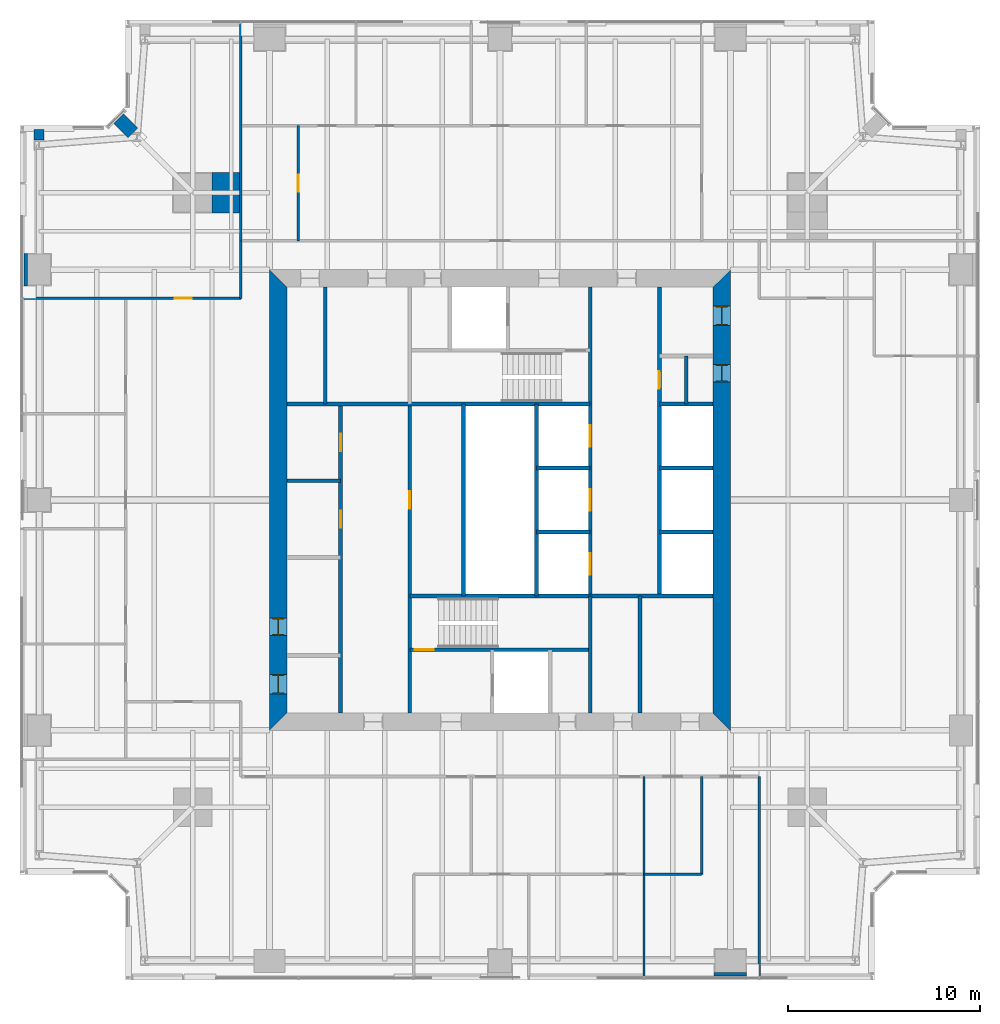
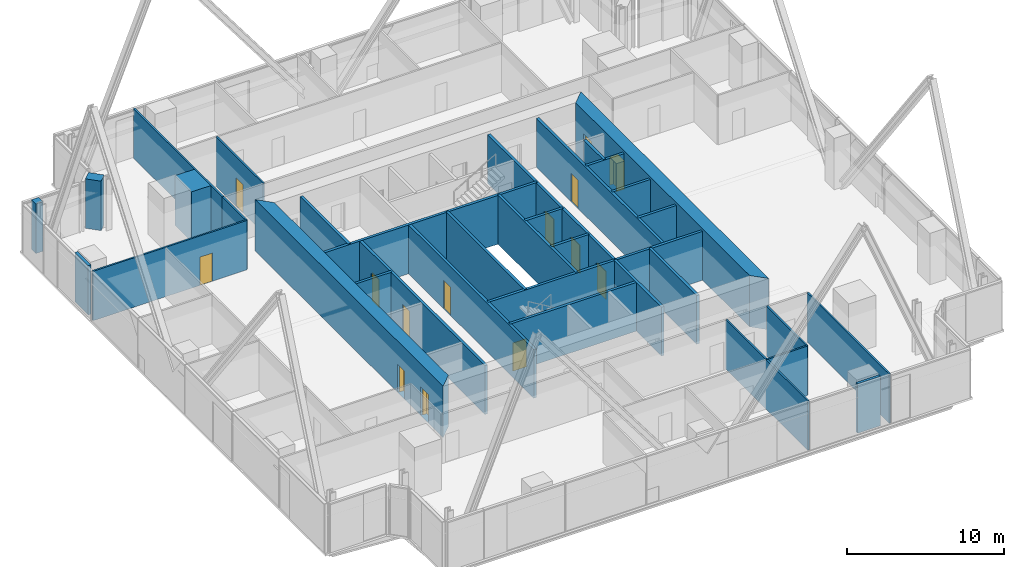
# One storey, part 10 of 14: 34 walls, 14 doors, 14 openings.
"""IFC4 building model written with IfcOpenShell, lengths in metres."""

import ifcopenshell
import ifcopenshell.guid

model = None  # the IFC model being written
_history = None  # IfcOwnerHistory: only IFC2X3 demands one
_inside = {}  # id of a spatial element -> (the spatial element, [elements in it])
_under = {}  # id of a project, library or spatial element -> (it, [spatial elements below it])
_declared = {}  # id of a project -> (the project, [libraries it declares])
_typed = {}  # id of a type object -> (the type object, [elements of that type])
_made_of = {}  # id of a material, layer set ... -> (it, [elements and type objects made of it])


def new_model(schema):
    """Start an empty IFC model of exactly this schema.

    Asked for "IFC4X3", IfcOpenShell would pick the latest addendum, in which some entities
    have other attributes; the version numbers below select the first issue.
    IFC2X3 requires an IfcOwnerHistory on every rooted entity: one is made here for all.
    """
    global model, _history
    if schema == "IFC4X3":
        model = ifcopenshell.file(schema_version=(4, 3, 0, 0))
    else:
        model = ifcopenshell.file(schema=schema)
    _inside.clear()
    _under.clear()
    _declared.clear()
    _typed.clear()
    _made_of.clear()
    _history = None
    if model.schema == "IFC2X3":
        org = make("IfcOrganization", Name="unknown")
        user = make(
            "IfcPersonAndOrganization",
            ThePerson=make("IfcPerson", FamilyName="unknown"),
            TheOrganization=org,
        )
        app = make(
            "IfcApplication",
            ApplicationDeveloper=org,
            Version="unknown",
            ApplicationFullName="unknown",
            ApplicationIdentifier="unknown",
        )
        _history = make(
            "IfcOwnerHistory",
            OwningUser=user,
            OwningApplication=app,
            ChangeAction="ADDED",
            CreationDate=0,
        )
    return model


def make(cls, **values):
    """One entity of the class cls with the attributes given. An attribute that is None is left unset."""
    return model.create_entity(
        cls, **{name: value for name, value in values.items() if value is not None}
    )


def rooted(cls, **values):
    """An entity with a GlobalId (a new one), such as an element, a storey or a relation."""
    return make(cls, GlobalId=ifcopenshell.guid.new(), OwnerHistory=_history, **values)


def si_unit(unit_type, name, prefix=None):
    """IfcSIUnit, for example si_unit("LENGTHUNIT", "METRE", prefix="MILLI")."""
    return make("IfcSIUnit", UnitType=unit_type, Prefix=prefix, Name=name)


def assignment(units):
    """IfcUnitAssignment: the units of a project."""
    return None if units is None else make("IfcUnitAssignment", Units=units)


def point(xyz):
    """IfcCartesianPoint."""
    return None if xyz is None else make("IfcCartesianPoint", Coordinates=xyz)


def direction(xyz):
    """IfcDirection."""
    return None if xyz is None else make("IfcDirection", DirectionRatios=xyz)


def frame(location, z_axis=None, x_axis=None):
    """IfcAxis2Placement3D, a coordinate frame: its origin and axes. An axis left out is left unset."""
    return make(
        "IfcAxis2Placement3D",
        Location=point(location),
        Axis=direction(z_axis),
        RefDirection=direction(x_axis),
    )


def frame_2d(location, x_axis=None):
    """IfcAxis2Placement2D, a coordinate frame in the plane: its origin and x axis."""
    return make(
        "IfcAxis2Placement2D", Location=point(location), RefDirection=direction(x_axis)
    )


def origin():
    """The frame at (0, 0, 0) with its axes left unset."""
    return frame((0.0, 0.0, 0.0))


def place(relative_to, where):
    """IfcLocalPlacement: puts the frame where relative to a parent placement (None: the world)."""
    return make(
        "IfcLocalPlacement", PlacementRelTo=relative_to, RelativePlacement=where
    )


def context(
    kind, dimensions, precision=None, world=None, true_north=None, identifier=None
):
    """IfcGeometricRepresentationContext, for example the 3D "Model" context."""
    return make(
        "IfcGeometricRepresentationContext",
        ContextIdentifier=identifier,
        ContextType=kind,
        CoordinateSpaceDimension=dimensions,
        Precision=precision,
        WorldCoordinateSystem=world,
        TrueNorth=true_north,
    )


def subcontext(parent, identifier, kind, view, scale=None):
    """IfcGeometricRepresentationSubContext, for example "Body" below "Model"."""
    return make(
        "IfcGeometricRepresentationSubContext",
        ContextIdentifier=identifier,
        ContextType=kind,
        ParentContext=parent,
        TargetScale=scale,
        TargetView=view,
    )


def project(units=None, contexts=None):
    """IfcProject with its units and contexts."""
    return rooted(
        "IfcProject",
        Name="project",
        RepresentationContexts=contexts,
        UnitsInContext=assignment(units),
    )


def spatial(cls, under=None, at=None, **own):
    """A site, building, storey or space (cls), placed at a placement, below another one or the project."""
    s = rooted(cls, ObjectPlacement=at, **own)
    if under is not None:
        _under.setdefault(under.id(), (under, []))[1].append(s)
    return s


def polyline(points):
    """IfcPolyline through the points."""
    return make("IfcPolyline", Points=[point(p) for p in points])


def profile(cls, at=None, kind="AREA", **sizes):
    """A parametric profile (cls). Its sizes go by their IFC names, for example OverallWidth=200.0."""
    return make(cls, ProfileType=kind, Position=at, **sizes)


def rectangle(**sizes):
    """IfcRectangleProfileDef."""
    return profile("IfcRectangleProfileDef", **sizes)


def outline(outer, holes=None, kind="AREA"):
    """IfcArbitraryClosedProfileDef: a profile drawn as a closed curve; with holes, ...WithVoids."""
    if holes is None:
        return make("IfcArbitraryClosedProfileDef", ProfileType=kind, OuterCurve=outer)
    return make(
        "IfcArbitraryProfileDefWithVoids",
        ProfileType=kind,
        OuterCurve=outer,
        InnerCurves=holes,
    )


def extrude(swept, where, along, depth):
    """IfcExtrudedAreaSolid: the profile swept, set in the frame where, extruded along a direction by depth."""
    return make(
        "IfcExtrudedAreaSolid",
        SweptArea=swept,
        Position=where,
        ExtrudedDirection=direction(along),
        Depth=depth,
    )


def shape(context_of_items, identifier, shape_type, items):
    """IfcShapeRepresentation: the items that make up one representation, for example the "Body"."""
    return make(
        "IfcShapeRepresentation",
        ContextOfItems=context_of_items,
        RepresentationIdentifier=identifier,
        RepresentationType=shape_type,
        Items=items,
    )


def material(Name=None, Category=None):
    """IfcMaterial."""
    return make("IfcMaterial", Name=Name, Category=Category)


def layer(
    of_material, thickness, ventilated=None, Name=None, Category=None, Priority=None
):
    """IfcMaterialLayer: one layer of a wall or slab, of a material (None: an air gap)."""
    return make(
        "IfcMaterialLayer",
        Material=of_material,
        LayerThickness=thickness,
        IsVentilated=ventilated,
        Name=Name,
        Category=Category,
        Priority=Priority,
    )


def layer_set(layers, Name=None):
    """IfcMaterialLayerSet."""
    return make("IfcMaterialLayerSet", MaterialLayers=layers, LayerSetName=Name)


def made_of(thing, what):
    """Note that an element or type object is made of a material, layer set ...; save() writes the relation."""
    if what is not None:
        _made_of.setdefault(what.id(), (what, []))[1].append(thing)
    return thing


def type_object(cls, material=None, **own):
    """A type object (cls), such as IfcWallType, which elements share."""
    return made_of(rooted(cls, **own), material)


def element(
    cls,
    number,
    at=None,
    inside=None,
    cuts=None,
    type_object=None,
    material=None,
    context=None,
    identifier="Body",
    shape_type=None,
    held_by="IfcProductDefinitionShape",
    body=None,
    shapes=None,
    **own,
):
    """One element of the class cls, such as IfcWall. Its Tag is "e" and its number.

    at: its placement. inside: the storey or other place that contains it. cuts: it is an
    opening in that element (IfcRelVoidsElement). A single representation is given by context,
    identifier, shape_type and body (its items); several are given by shapes. held_by: the class
    of the entity that holds the representations. save() writes the other relations.
    """
    e = rooted(cls, Tag="e%d" % number, ObjectPlacement=at, **own)
    if body is not None:
        shapes = [shape(context, identifier, shape_type, body)]
    if shapes is not None:
        e.Representation = make(held_by, Representations=shapes)
    if inside is not None:
        _inside.setdefault(inside.id(), (inside, []))[1].append(e)
    if cuts is not None:
        rooted(
            "IfcRelVoidsElement", RelatingBuildingElement=cuts, RelatedOpeningElement=e
        )
    if type_object is not None:
        _typed.setdefault(type_object.id(), (type_object, []))[1].append(e)
    return made_of(e, material)


def fill(opening, filler):
    """IfcRelFillsElement: the door or window that sits in an opening."""
    return rooted(
        "IfcRelFillsElement",
        RelatingOpeningElement=opening,
        RelatedBuildingElement=filler,
    )


def aggregate(whole, parts):
    """IfcRelAggregates: a whole, such as a stair, and the parts it consists of."""
    return rooted("IfcRelAggregates", RelatingObject=whole, RelatedObjects=parts)


def save(model, path):
    """Write the relations noted so far, then the file.

    IfcRelAggregates (storeys below a building ...), IfcRelContainedInSpatialStructure (elements
    in a storey), IfcRelDefinesByType, IfcRelAssociatesMaterial and IfcRelDeclares: one each for
    every whole, place, type object, material and project.
    """
    for whole, parts in _under.values():
        aggregate(whole, parts)
    for where, things in _inside.values():
        rooted(
            "IfcRelContainedInSpatialStructure",
            RelatedElements=things,
            RelatingStructure=where,
        )
    for kind, things in _typed.values():
        rooted("IfcRelDefinesByType", RelatedObjects=things, RelatingType=kind)
    for what, things in _made_of.values():
        rooted("IfcRelAssociatesMaterial", RelatedObjects=things, RelatingMaterial=what)
    for by, libraries in _declared.values():
        rooted("IfcRelDeclares", RelatingContext=by, RelatedDefinitions=libraries)
    model.write(path)


model = new_model("IFC4")

# Units and contexts
model_context = context("Model", 3, precision=1e-05, world=origin(), true_north=direction((0.0, 1.0)))
body_context = subcontext(model_context, "Body", "Model", "MODEL_VIEW")
ifc_project = project(units=[si_unit("LENGTHUNIT", "METRE"), si_unit("AREAUNIT", "SQUARE_METRE"), si_unit("VOLUMEUNIT", "CUBIC_METRE"), si_unit("PLANEANGLEUNIT", "RADIAN"), si_unit("MASSUNIT", "GRAM", prefix="KILO")], contexts=[model_context])

# Site, building, storey
site_placement = place(None, origin())
site = spatial("IfcSite", under=ifc_project, at=site_placement, CompositionType="ELEMENT")
building_placement = place(site_placement, origin())
building = spatial("IfcBuilding", under=site, at=building_placement, Name="Fenwick Lantern Interchange", CompositionType="ELEMENT")
storey_placement = place(building_placement, frame((0.0, 0.0, 185.800048828125)))
storey = spatial("IfcBuildingStorey", under=building, at=storey_placement, Name="L43", CompositionType="ELEMENT", Elevation=185.800048828125)

# Walls
ifc_material_1 = material(Name="Fire-rated gypsum board encasement on steel studs, 2 hour", Category="steel")
ifc_layer_1 = layer(ifc_material_1, 1.699951171875)
ifc_layer_set_1 = layer_set([ifc_layer_1], Name="COLUMN PIER 1700")
wall_type_1 = type_object("IfcWallType", Name="COLUMN PIER 1700", PredefinedType="PARTITIONING", material=ifc_layer_set_1)
for number, where, z_axis, x_axis, name in (
    (1, (37.0, 0.199951171875, 0.0), (0.0, 0.0, 1.0), (0.0, 1.0, 0.0), "L43/W/PIER/CS4"),
    (2, (0.199951171875, 37.0, 0.0), (0.0, 0.0, 1.0), (1.0, 0.0, 0.0), "L43/W/PIER/CW2"),
):
    element("IfcWall", number, at=place(storey_placement, frame(where, z_axis=z_axis, x_axis=x_axis)), inside=storey, type_object=wall_type_1, Name=name, PredefinedType="PARTITIONING", context=body_context, shape_type="SweptSolid", body=[
        extrude(rectangle(XDim=0.199951171875, YDim=1.699951171875, at=frame_2d((0.10009765625, 0.0))), origin(), (0.0, 0.0, 1.0), 3.849853515625),
    ])
ifc_layer_2 = layer(ifc_material_1, 2.10009765625)
ifc_layer_set_2 = layer_set([ifc_layer_2], Name="COLUMN PIER 2100")
wall_type_2 = type_object("IfcWallType", Name="COLUMN PIER 2100", PredefinedType="PARTITIONING", material=ifc_layer_set_2)
wall_1_placement = place(storey_placement, frame((11.4375, 41.0, 0.0), z_axis=(0.0, 0.0, 1.0), x_axis=(-1.0, 0.0, 0.0)))
element("IfcWall", 3, at=wall_1_placement, inside=storey, type_object=wall_type_2, Name="L43/W/PIER/M4", PredefinedType="PARTITIONING", context=body_context, shape_type="SweptSolid", body=[
    extrude(rectangle(XDim=1.4375, YDim=2.10009765625, at=frame_2d((0.71875, 0.0))), origin(), (0.0, 0.0, 1.0), 3.849853515625),
])
ifc_layer_3 = layer(ifc_material_1, 0.52392578125)
ifc_layer_set_3 = layer_set([ifc_layer_3], Name="COLUMN PIER 524")
wall_type_3 = type_object("IfcWallType", Name="COLUMN PIER 524", PredefinedType="PARTITIONING", material=ifc_layer_set_3)
wall_2_placement = place(storey_placement, frame((1.0, 44.300048828125, 0.0), z_axis=(0.0, 0.0, 1.0), x_axis=(0.0, -1.0, 0.0)))
element("IfcWall", 4, at=wall_2_placement, inside=storey, type_object=wall_type_3, Name="L43/W/PIER/CW1", PredefinedType="PARTITIONING", context=body_context, shape_type="SweptSolid", body=[
    extrude(rectangle(XDim=0.5625, YDim=0.52392578125, at=frame_2d((0.28125, 0.0))), origin(), (0.0, 0.0, 1.0), 3.849853515625),
])
ifc_layer_4 = layer(ifc_material_1, 0.736083984375)
ifc_layer_set_4 = layer_set([ifc_layer_4], Name="COLUMN PIER 736")
wall_type_4 = type_object("IfcWallType", Name="COLUMN PIER 736", PredefinedType="PARTITIONING", material=ifc_layer_set_4)
wall_3_placement = place(storey_placement, frame((5.141357421875, 44.858642578125, 0.0), z_axis=(0.0, 0.0, 1.0), x_axis=(0.707106781187, -0.707106781187, 0.0)))
element("IfcWall", 5, at=wall_3_placement, inside=storey, type_object=wall_type_4, Name="L43/W/PIER/CNR", PredefinedType="PARTITIONING", context=body_context, shape_type="SweptSolid", body=[
    extrude(rectangle(XDim=1.037841796875, YDim=0.736083984375, at=frame_2d((0.51904296875, 0.0))), origin(), (0.0, 0.0, 1.0), 3.849853515625),
])

# Wall, openings, doors
ifc_material_2 = material(Name="Concrete masonry ASTM C90 Grade N", Category="masonry")
ifc_layer_5 = layer(ifc_material_2, 0.199951171875)
ifc_layer_set_5 = layer_set([ifc_layer_5], Name="Concrete masonry ASTM C90 Grade N")
wall_type_5 = type_object("IfcWallType", Name="CORE PARTITION 200", PredefinedType="PARTITIONING", material=ifc_layer_set_5)
wall_4_placement = place(storey_placement, frame((16.699951171875, 13.89990234375, 0.0), z_axis=(0.0, 0.0, 1.0), x_axis=(0.0, 1.0, 0.0)))
wall_4 = element("IfcWall", 6, at=wall_4_placement, inside=storey, type_object=wall_type_5, Name="L43/W/CORES/a", PredefinedType="PARTITIONING", context=body_context, shape_type="SweptSolid", body=[
    extrude(rectangle(XDim=16.10009765625, YDim=0.199951171875, at=frame_2d((8.050048828125, 0.0))), origin(), (0.0, 0.0, 1.0), 3.800048828125),
])
opening_1_placement = place(wall_4_placement, frame((9.64990234375, 0.0, 0.0)))
opening_1 = element("IfcOpeningElement", 7, at=opening_1_placement, cuts=wall_4, Name="Opening L43-D009", PredefinedType="OPENING", context=body_context, shape_type="SweptSolid", body=[
    extrude(rectangle(XDim=0.89990234375, YDim=2.199951171875, at=frame_2d((0.449951171875, 1.10009765625))), frame((0.0, 0.10986328125, 0.0), z_axis=(0.0, -1.0, 0.0), x_axis=(1.0, 0.0, 0.0)), (0.0, 0.0, 1.0), 0.219970703125),
])
opening_2_placement = place(wall_4_placement, frame((13.64990234375, 0.0, 0.0)))
opening_2 = element("IfcOpeningElement", 8, at=opening_2_placement, cuts=wall_4, Name="Opening L43-D010", PredefinedType="OPENING", context=body_context, shape_type="SweptSolid", body=[
    extrude(rectangle(XDim=0.89990234375, YDim=2.199951171875, at=frame_2d((0.449951171875, 1.10009765625))), frame((0.0, 0.10986328125, 0.0), z_axis=(0.0, -1.0, 0.0), x_axis=(1.0, 0.0, 0.0)), (0.0, 0.0, 1.0), 0.219970703125),
])
ifc_material_3 = material(Name="Steel door and frame", Category="steel")
door_type_1 = type_object("IfcDoorType", Name="SERVICE DOOR 900 X 2200", OperationType="SINGLE_SWING_LEFT", PredefinedType="DOOR", material=ifc_material_3)
door_1_placement = place(opening_1_placement, origin())
door_1 = element("IfcDoor", 9, at=door_1_placement, inside=storey, type_object=door_type_1, Name="Service door", OperationType="SINGLE_SWING_LEFT", OverallHeight=2.199951171875, OverallWidth=0.89990234375, PredefinedType="DOOR", context=body_context, shape_type="SweptSolid", body=[
    extrude(rectangle(XDim=0.89990234375, YDim=2.199951171875, at=frame_2d((0.449951171875, 1.10009765625))), frame((0.0, 0.02490234375, 0.0), z_axis=(0.0, -1.0, 0.0), x_axis=(1.0, 0.0, 0.0)), (0.0, 0.0, 1.0), 0.050048828125),
])
fill(opening_1, door_1)
door_2_placement = place(opening_2_placement, origin())
door_2 = element("IfcDoor", 10, at=door_2_placement, inside=storey, type_object=door_type_1, Name="Service door", OperationType="SINGLE_SWING_LEFT", OverallHeight=2.199951171875, OverallWidth=0.89990234375, PredefinedType="DOOR", context=body_context, shape_type="SweptSolid", body=[
    extrude(rectangle(XDim=0.89990234375, YDim=2.199951171875, at=frame_2d((0.449951171875, 1.10009765625))), frame((0.0, 0.02490234375, 0.0), z_axis=(0.0, -1.0, 0.0), x_axis=(1.0, 0.0, 0.0)), (0.0, 0.0, 1.0), 0.050048828125),
])
fill(opening_2, door_2)

# Walls
wall_5_placement = place(storey_placement, frame((23.10009765625, 20.0, 0.0), z_axis=(0.0, 0.0, 1.0), x_axis=(0.0, 1.0, 0.0)))
element("IfcWall", 11, at=wall_5_placement, inside=storey, type_object=wall_type_5, Name="L43/W/CORES/e3", PredefinedType="PARTITIONING", context=body_context, shape_type="SweptSolid", body=[
    extrude(rectangle(XDim=10.0, YDim=0.199951171875, at=frame_2d((5.0, 0.0))), origin(), (0.0, 0.0, 1.0), 3.800048828125),
])
wall_6_placement = place(storey_placement, frame((32.300048828125, 13.89990234375, 0.0), z_axis=(0.0, 0.0, 1.0), x_axis=(0.0, 1.0, 0.0)))
element("IfcWall", 12, at=wall_6_placement, inside=storey, type_object=wall_type_5, Name="L43/W/CORES/i2", PredefinedType="PARTITIONING", context=body_context, shape_type="SweptSolid", body=[
    extrude(rectangle(XDim=6.10009765625, YDim=0.199951171875, at=frame_2d((3.050048828125, 0.0))), origin(), (0.0, 0.0, 1.0), 3.800048828125),
])
wall_7_placement = place(storey_placement, frame((13.89990234375, 26.0, 0.0), z_axis=(0.0, 0.0, 1.0), x_axis=(1.0, 0.0, 0.0)))
element("IfcWall", 13, at=wall_7_placement, inside=storey, type_object=wall_type_5, Name="L43/W/CORES/p3", PredefinedType="PARTITIONING", context=body_context, shape_type="SweptSolid", body=[
    extrude(rectangle(XDim=2.800048828125, YDim=0.199951171875, at=frame_2d((1.39990234375, 0.0))), origin(), (0.0, 0.0, 1.0), 3.800048828125),
])

# Wall, opening, door
wall_8_placement = place(storey_placement, frame((33.300048828125, 36.10009765625, 0.0), z_axis=(0.0, 0.0, 1.0), x_axis=(0.0, -1.0, 0.0)))
wall_8 = element("IfcWall", 14, at=wall_8_placement, inside=storey, type_object=wall_type_5, Name="L43/W/COREN/a", PredefinedType="PARTITIONING", context=body_context, shape_type="SweptSolid", body=[
    extrude(rectangle(XDim=16.10009765625, YDim=0.199951171875, at=frame_2d((8.050048828125, 0.0))), origin(), (0.0, 0.0, 1.0), 3.800048828125),
])
opening_3_placement = place(wall_8_placement, frame((4.39990234375, 0.0, 0.0)))
opening_3 = element("IfcOpeningElement", 15, at=opening_3_placement, cuts=wall_8, Name="Opening L43-D019", PredefinedType="OPENING", context=body_context, shape_type="SweptSolid", body=[
    extrude(rectangle(XDim=0.89990234375, YDim=2.199951171875, at=frame_2d((0.449951171875, 1.10009765625))), frame((0.0, 0.10986328125, 0.0), z_axis=(0.0, -1.0, 0.0), x_axis=(1.0, 0.0, 0.0)), (0.0, 0.0, 1.0), 0.219970703125),
])
door_3_placement = place(opening_3_placement, origin())
door_3 = element("IfcDoor", 16, at=door_3_placement, inside=storey, type_object=door_type_1, Name="Service door", OperationType="SINGLE_SWING_LEFT", OverallHeight=2.199951171875, OverallWidth=0.89990234375, PredefinedType="DOOR", context=body_context, shape_type="SweptSolid", body=[
    extrude(rectangle(XDim=0.89990234375, YDim=2.199951171875, at=frame_2d((0.449951171875, 1.10009765625))), frame((0.0, 0.02490234375, 0.0), z_axis=(0.0, -1.0, 0.0), x_axis=(1.0, 0.0, 0.0)), (0.0, 0.0, 1.0), 0.050048828125),
])
fill(opening_3, door_3)

# Walls
for number, where, z_axis, x_axis, name in (
    (17, (36.10009765625, 30.0, 0.0), (0.0, 0.0, 1.0), (-1.0, 0.0, 0.0), "L43/W/COREN/c2"),
    (18, (36.10009765625, 26.666748046875, 0.0), (0.0, 0.0, 1.0), (-1.0, 0.0, 0.0), "L43/W/COREN/d1"),
    (19, (36.10009765625, 23.333251953125, 0.0), (0.0, 0.0, 1.0), (-1.0, 0.0, 0.0), "L43/W/COREN/d2"),
    (20, (29.699951171875, 26.666748046875, 0.0), (0.0, 0.0, 1.0), (-1.0, 0.0, 0.0), "L43/W/COREN/e1"),
    (21, (29.699951171875, 23.333251953125, 0.0), (0.0, 0.0, 1.0), (-1.0, 0.0, 0.0), "L43/W/COREN/e2"),
):
    element("IfcWall", number, at=place(storey_placement, frame(where, z_axis=z_axis, x_axis=x_axis)), inside=storey, type_object=wall_type_5, Name=name, PredefinedType="PARTITIONING", context=body_context, shape_type="SweptSolid", body=[
        extrude(rectangle(XDim=2.800048828125, YDim=0.199951171875, at=frame_2d((1.39990234375, 0.0))), origin(), (0.0, 0.0, 1.0), 3.800048828125),
    ])
wall_9_placement = place(storey_placement, frame((26.89990234375, 30.0, 0.0), z_axis=(0.0, 0.0, 1.0), x_axis=(0.0, -1.0, 0.0)))
element("IfcWall", 22, at=wall_9_placement, inside=storey, type_object=wall_type_5, Name="L43/W/COREN/e3", PredefinedType="PARTITIONING", context=body_context, shape_type="SweptSolid", body=[
    extrude(rectangle(XDim=10.0, YDim=0.199951171875, at=frame_2d((5.0, 0.0))), origin(), (0.0, 0.0, 1.0), 3.800048828125),
])
wall_10_placement = place(storey_placement, frame((15.89990234375, 36.10009765625, 0.0), z_axis=(0.0, 0.0, 1.0), x_axis=(0.0, -1.0, 0.0)))
element("IfcWall", 23, at=wall_10_placement, inside=storey, type_object=wall_type_5, Name="L43/W/COREN/i2", PredefinedType="PARTITIONING", context=body_context, shape_type="SweptSolid", body=[
    extrude(rectangle(XDim=6.10009765625, YDim=0.199951171875, at=frame_2d((3.050048828125, 0.0))), origin(), (0.0, 0.0, 1.0), 3.800048828125),
])
wall_11_placement = place(storey_placement, frame((34.699951171875, 32.5, 0.0), z_axis=(0.0, 0.0, 1.0), x_axis=(0.0, -1.0, 0.0)))
element("IfcWall", 24, at=wall_11_placement, inside=storey, type_object=wall_type_5, Name="L43/W/COREN/px", PredefinedType="PARTITIONING", context=body_context, shape_type="SweptSolid", body=[
    extrude(rectangle(XDim=2.5, YDim=0.199951171875, at=frame_2d((1.25, 0.0))), origin(), (0.0, 0.0, 1.0), 3.800048828125),
])

# Wall, openings, doors
ifc_material_4 = material(Name="Concrete f'c 70 MPa", Category="concrete")
ifc_layer_6 = layer(ifc_material_4, 0.89990234375)
ifc_layer_set_6 = layer_set([ifc_layer_6], Name="CORE WALL 900")
wall_type_6 = type_object("IfcWallType", Name="CORE WALL 900", PredefinedType="SHEAR", material=ifc_layer_set_6)
wall_12_placement = place(storey_placement, frame((36.550048828125, 13.89990234375, 0.0), z_axis=(0.0, 0.0, 1.0), x_axis=(0.0, 1.0, 0.0)))
wall_12 = element("IfcWall", 25, at=wall_12_placement, inside=storey, type_object=wall_type_6, Name="L43/CORE/E", PredefinedType="SHEAR", context=body_context, shape_type="SweptSolid", body=[
    extrude(outline(polyline([(-0.89990234375, -0.449951171875), (23.10009765625, -0.449951171875), (22.199951171875, 0.449951171875), (0.0, 0.449951171875), (-0.89990234375, -0.449951171875)])), origin(), (0.0, 0.0, 1.0), 4.0),
])
opening_4_placement = place(wall_12_placement, frame((20.199951171875, 0.0, 0.0)))
opening_4 = element("IfcOpeningElement", 26, at=opening_4_placement, cuts=wall_12, Name="Opening L43-D018", PredefinedType="OPENING", context=body_context, shape_type="SweptSolid", body=[
    extrude(rectangle(XDim=1.0, YDim=2.199951171875, at=frame_2d((0.5, 1.10009765625))), frame((0.0, 0.4599609375, 0.0), z_axis=(0.0, -1.0, 0.0), x_axis=(1.0, 0.0, 0.0)), (0.0, 0.0, 1.0), 0.919921875),
])
opening_5_placement = place(wall_12_placement, frame((17.25, 0.0, 0.0)))
opening_5 = element("IfcOpeningElement", 27, at=opening_5_placement, cuts=wall_12, Name="Opening L43-D020", PredefinedType="OPENING", context=body_context, shape_type="SweptSolid", body=[
    extrude(rectangle(XDim=0.89990234375, YDim=2.199951171875, at=frame_2d((0.449951171875, 1.10009765625))), frame((0.0, 0.4599609375, 0.0), z_axis=(0.0, -1.0, 0.0), x_axis=(1.0, 0.0, 0.0)), (0.0, 0.0, 1.0), 0.919921875),
])
door_4_placement = place(opening_5_placement, origin())
door_4 = element("IfcDoor", 28, at=door_4_placement, inside=storey, type_object=door_type_1, Name="Service door", OperationType="SINGLE_SWING_RIGHT", OverallHeight=2.199951171875, OverallWidth=0.89990234375, PredefinedType="DOOR", context=body_context, shape_type="SweptSolid", body=[
    extrude(rectangle(XDim=0.89990234375, YDim=2.199951171875, at=frame_2d((0.449951171875, 1.10009765625))), frame((0.0, 0.02490234375, 0.0), z_axis=(0.0, -1.0, 0.0), x_axis=(1.0, 0.0, 0.0)), (0.0, 0.0, 1.0), 0.050048828125),
    extrude(outline(polyline([(0.0, 0.0), (0.0400390625, 0.0), (0.0400390625, 2.159912109375), (0.85986328125, 2.159912109375), (0.85986328125, 0.0), (0.89990234375, 0.0), (0.89990234375, 2.199951171875), (0.0, 2.199951171875), (0.0, 0.0)])), frame((0.0, 0.300048828125, 0.0), z_axis=(0.0, -1.0, 0.0), x_axis=(1.0, 0.0, 0.0)), (0.0, 0.0, 1.0), 0.60009765625),
])
fill(opening_5, door_4)
ifc_material_5 = material(Name="Hardwood door and steel frame", Category="steel")
door_type_2 = type_object("IfcDoorType", Name="WC DOOR 1000 X 2200", OperationType="SINGLE_SWING_LEFT", PredefinedType="DOOR", material=ifc_material_5)
door_5_placement = place(opening_4_placement, origin())
door_5 = element("IfcDoor", 29, at=door_5_placement, inside=storey, type_object=door_type_2, Name="Wc door", OperationType="SINGLE_SWING_RIGHT", OverallHeight=2.199951171875, OverallWidth=1.0, PredefinedType="DOOR", context=body_context, shape_type="SweptSolid", body=[
    extrude(rectangle(XDim=1.0, YDim=2.199951171875, at=frame_2d((0.5, 1.10009765625))), frame((0.0, 0.02490234375, 0.0), z_axis=(0.0, -1.0, 0.0), x_axis=(1.0, 0.0, 0.0)), (0.0, 0.0, 1.0), 0.050048828125),
    extrude(outline(polyline([(0.0, 0.0), (0.0400390625, 0.0), (0.0400390625, 2.159912109375), (0.9599609375, 2.159912109375), (0.9599609375, 0.0), (1.0, 0.0), (1.0, 2.199951171875), (0.0, 2.199951171875), (0.0, 0.0)])), frame((0.0, 0.300048828125, 0.0), z_axis=(0.0, -1.0, 0.0), x_axis=(1.0, 0.0, 0.0)), (0.0, 0.0, 1.0), 0.60009765625),
])
fill(opening_4, door_5)

wall_13_placement = place(storey_placement, frame((13.449951171875, 36.10009765625, 0.0), z_axis=(0.0, 0.0, 1.0), x_axis=(0.0, -1.0, 0.0)))
wall_13 = element("IfcWall", 30, at=wall_13_placement, inside=storey, type_object=wall_type_6, Name="L43/CORE/W", PredefinedType="SHEAR", context=body_context, shape_type="SweptSolid", body=[
    extrude(outline(polyline([(-0.89990234375, -0.449951171875), (23.10009765625, -0.449951171875), (22.199951171875, 0.449951171875), (0.0, 0.449951171875), (-0.89990234375, -0.449951171875)])), origin(), (0.0, 0.0, 1.0), 4.0),
])
opening_6_placement = place(wall_13_placement, frame((20.199951171875, 0.0, 0.0)))
opening_6 = element("IfcOpeningElement", 31, at=opening_6_placement, cuts=wall_13, Name="Opening L43-D007", PredefinedType="OPENING", context=body_context, shape_type="SweptSolid", body=[
    extrude(rectangle(XDim=1.0, YDim=2.199951171875, at=frame_2d((0.5, 1.10009765625))), frame((0.0, 0.4599609375, 0.0), z_axis=(0.0, -1.0, 0.0), x_axis=(1.0, 0.0, 0.0)), (0.0, 0.0, 1.0), 0.919921875),
])
opening_7_placement = place(wall_13_placement, frame((17.25, 0.0, 0.0)))
opening_7 = element("IfcOpeningElement", 32, at=opening_7_placement, cuts=wall_13, Name="Opening L43-D008", PredefinedType="OPENING", context=body_context, shape_type="SweptSolid", body=[
    extrude(rectangle(XDim=0.89990234375, YDim=2.199951171875, at=frame_2d((0.449951171875, 1.10009765625))), frame((0.0, 0.4599609375, 0.0), z_axis=(0.0, -1.0, 0.0), x_axis=(1.0, 0.0, 0.0)), (0.0, 0.0, 1.0), 0.919921875),
])
door_6_placement = place(opening_7_placement, origin())
door_6 = element("IfcDoor", 33, at=door_6_placement, inside=storey, type_object=door_type_1, Name="Service door", OperationType="SINGLE_SWING_RIGHT", OverallHeight=2.199951171875, OverallWidth=0.89990234375, PredefinedType="DOOR", context=body_context, shape_type="SweptSolid", body=[
    extrude(rectangle(XDim=0.89990234375, YDim=2.199951171875, at=frame_2d((0.449951171875, 1.10009765625))), frame((0.0, 0.02490234375, 0.0), z_axis=(0.0, -1.0, 0.0), x_axis=(1.0, 0.0, 0.0)), (0.0, 0.0, 1.0), 0.050048828125),
    extrude(outline(polyline([(0.0, 0.0), (0.0400390625, 0.0), (0.0400390625, 2.159912109375), (0.85986328125, 2.159912109375), (0.85986328125, 0.0), (0.89990234375, 0.0), (0.89990234375, 2.199951171875), (0.0, 2.199951171875), (0.0, 0.0)])), frame((0.0, 0.300048828125, 0.0), z_axis=(0.0, -1.0, 0.0), x_axis=(1.0, 0.0, 0.0)), (0.0, 0.0, 1.0), 0.60009765625),
])
fill(opening_7, door_6)
door_7_placement = place(opening_6_placement, origin())
door_7 = element("IfcDoor", 34, at=door_7_placement, inside=storey, type_object=door_type_2, Name="Wc door", OperationType="SINGLE_SWING_LEFT", OverallHeight=2.199951171875, OverallWidth=1.0, PredefinedType="DOOR", context=body_context, shape_type="SweptSolid", body=[
    extrude(rectangle(XDim=1.0, YDim=2.199951171875, at=frame_2d((0.5, 1.10009765625))), frame((0.0, 0.02490234375, 0.0), z_axis=(0.0, -1.0, 0.0), x_axis=(1.0, 0.0, 0.0)), (0.0, 0.0, 1.0), 0.050048828125),
    extrude(outline(polyline([(0.0, 0.0), (0.0400390625, 0.0), (0.0400390625, 2.159912109375), (0.9599609375, 2.159912109375), (0.9599609375, 0.0), (1.0, 0.0), (1.0, 2.199951171875), (0.0, 2.199951171875), (0.0, 0.0)])), frame((0.0, 0.300048828125, 0.0), z_axis=(0.0, -1.0, 0.0), x_axis=(1.0, 0.0, 0.0)), (0.0, 0.0, 1.0), 0.60009765625),
])
fill(opening_6, door_7)

# Walls
ifc_material_6 = material(Name="Gypsum board on steel studs, acoustic", Category="steel")
ifc_layer_7 = layer(ifc_material_6, 0.125)
ifc_layer_set_7 = layer_set([ifc_layer_7], Name="OFFICE PARTITION 125")
wall_type_7 = type_object("IfcWallType", Name="OFFICE PARTITION 125", PredefinedType="PARTITIONING", material=ifc_layer_set_7)
wall_14_placement = place(storey_placement, frame((32.5, 0.14990234375, 0.0), z_axis=(0.0, 0.0, 1.0), x_axis=(0.0, 1.0, 0.0)))
element("IfcWall", 35, at=wall_14_placement, inside=storey, type_object=wall_type_7, Name="L43/W/OFF/S/X325-1", PredefinedType="PARTITIONING", context=body_context, shape_type="SweptSolid", body=[
    extrude(rectangle(XDim=10.4501953125, YDim=0.125, at=frame_2d((5.22509765625, 0.0))), origin(), (0.0, 0.0, 1.0), 3.849853515625),
])
wall_15_placement = place(storey_placement, frame((35.5, 5.5, 0.0), z_axis=(0.0, 0.0, 1.0), x_axis=(0.0, 1.0, 0.0)))
element("IfcWall", 36, at=wall_15_placement, inside=storey, type_object=wall_type_7, Name="L43/W/OFF/S/X355-1", PredefinedType="PARTITIONING", context=body_context, shape_type="SweptSolid", body=[
    extrude(rectangle(XDim=5.10009765625, YDim=0.125, at=frame_2d((2.550048828125, 0.0))), origin(), (0.0, 0.0, 1.0), 3.849853515625),
])
wall_16_placement = place(storey_placement, frame((32.5, 5.5, 0.0), z_axis=(0.0, 0.0, 1.0), x_axis=(1.0, 0.0, 0.0)))
element("IfcWall", 37, at=wall_16_placement, inside=storey, type_object=wall_type_7, Name="L43/W/OFF/S/Y55-2", PredefinedType="PARTITIONING", context=body_context, shape_type="SweptSolid", body=[
    extrude(rectangle(XDim=3.0, YDim=0.125, at=frame_2d((1.5, 0.0))), origin(), (0.0, 0.0, 1.0), 3.849853515625),
])
wall_17_placement = place(storey_placement, frame((38.5, 0.14990234375, 0.0), z_axis=(0.0, 0.0, 1.0), x_axis=(0.0, 1.0, 0.0)))
element("IfcWall", 38, at=wall_17_placement, inside=storey, type_object=wall_type_7, Name="L43/W/OFF/E/BACK", PredefinedType="PARTITIONING", context=body_context, shape_type="SweptSolid", body=[
    extrude(rectangle(XDim=10.4501953125, YDim=0.125, at=frame_2d((5.22509765625, 0.0))), origin(), (0.0, 0.0, 1.0), 3.849853515625),
])

# Wall, opening, door
wall_18_placement = place(storey_placement, frame((14.5, 44.5, 0.0), z_axis=(0.0, 0.0, 1.0), x_axis=(0.0, -1.0, 0.0)))
wall_18 = element("IfcWall", 39, at=wall_18_placement, inside=storey, type_object=wall_type_7, Name="L43/W/OFF/N/X355-1", PredefinedType="PARTITIONING", context=body_context, shape_type="SweptSolid", body=[
    extrude(rectangle(XDim=6.0, YDim=0.125, at=frame_2d((3.0, 0.0))), origin(), (0.0, 0.0, 1.0), 3.849853515625),
])
opening_8_placement = place(wall_18_placement, frame((2.550048828125, 0.0, 0.0)))
opening_8 = element("IfcOpeningElement", 40, at=opening_8_placement, cuts=wall_18, Name="Opening L43-D037", PredefinedType="OPENING", context=body_context, shape_type="SweptSolid", body=[
    extrude(rectangle(XDim=0.89990234375, YDim=2.199951171875, at=frame_2d((0.449951171875, 1.10009765625))), frame((0.0, 0.072509765625, 0.0), z_axis=(0.0, -1.0, 0.0), x_axis=(1.0, 0.0, 0.0)), (0.0, 0.0, 1.0), 0.14501953125),
])
door_type_3 = type_object("IfcDoorType", Name="OFFICE DOOR 900 X 2200", OperationType="SINGLE_SWING_LEFT", PredefinedType="DOOR", material=ifc_material_5)
door_8_placement = place(opening_8_placement, frame((0.89990234375, 0.0, 0.0), z_axis=(0.0, 0.0, 1.0), x_axis=(-1.0, 0.0, 0.0)))
door_8 = element("IfcDoor", 41, at=door_8_placement, inside=storey, type_object=door_type_3, Name="Office door", OperationType="SINGLE_SWING_RIGHT", OverallHeight=2.199951171875, OverallWidth=0.89990234375, PredefinedType="DOOR", context=body_context, shape_type="SweptSolid", body=[
    extrude(rectangle(XDim=0.89990234375, YDim=2.199951171875, at=frame_2d((0.449951171875, 1.10009765625))), frame((0.0, 0.02490234375, 0.0), z_axis=(0.0, -1.0, 0.0), x_axis=(1.0, 0.0, 0.0)), (0.0, 0.0, 1.0), 0.050048828125),
])
fill(opening_8, door_8)

# Wall
wall_19_placement = place(storey_placement, frame((11.5, 49.85009765625, 0.0), z_axis=(0.0, 0.0, 1.0), x_axis=(0.0, -1.0, 0.0)))
element("IfcWall", 42, at=wall_19_placement, inside=storey, type_object=wall_type_7, Name="L43/W/OFF/W/BACK", PredefinedType="PARTITIONING", context=body_context, shape_type="SweptSolid", body=[
    extrude(rectangle(XDim=11.35009765625, YDim=0.125, at=frame_2d((5.675048828125, 0.0))), origin(), (0.0, 0.0, 1.0), 3.849853515625),
])

# Wall, opening, door
wall_20_placement = place(storey_placement, frame((0.14990234375, 35.5, 0.0), z_axis=(0.0, 0.0, 1.0), x_axis=(1.0, 0.0, 0.0)))
wall_20 = element("IfcWall", 43, at=wall_20_placement, inside=storey, type_object=wall_type_7, Name="L43/W/OFF/W/X145-1", PredefinedType="PARTITIONING", context=body_context, shape_type="SweptSolid", body=[
    extrude(rectangle(XDim=11.35009765625, YDim=0.125, at=frame_2d((5.675048828125, 0.0))), origin(), (0.0, 0.0, 1.0), 3.849853515625),
])
opening_9_placement = place(wall_20_placement, frame((7.89990234375, 0.0, 0.0)))
opening_9 = element("IfcOpeningElement", 44, at=opening_9_placement, cuts=wall_20, Name="Opening L43-D038", PredefinedType="OPENING", context=body_context, shape_type="SweptSolid", body=[
    extrude(rectangle(XDim=0.89990234375, YDim=2.199951171875, at=frame_2d((0.449951171875, 1.10009765625))), frame((0.0, 0.072509765625, 0.0), z_axis=(0.0, -1.0, 0.0), x_axis=(1.0, 0.0, 0.0)), (0.0, 0.0, 1.0), 0.14501953125),
])
door_9_placement = place(opening_9_placement, origin())
door_9 = element("IfcDoor", 45, at=door_9_placement, inside=storey, type_object=door_type_3, Name="Office door", OperationType="SINGLE_SWING_RIGHT", OverallHeight=2.199951171875, OverallWidth=0.89990234375, PredefinedType="DOOR", context=body_context, shape_type="SweptSolid", body=[
    extrude(rectangle(XDim=0.89990234375, YDim=2.199951171875, at=frame_2d((0.449951171875, 1.10009765625))), frame((0.0, 0.02490234375, 0.0), z_axis=(0.0, -1.0, 0.0), x_axis=(1.0, 0.0, 0.0)), (0.0, 0.0, 1.0), 0.050048828125),
])
fill(opening_9, door_9)

# Wall
wall_21_placement = place(storey_placement, frame((11.5, 38.5, 0.0), z_axis=(0.0, 0.0, 1.0), x_axis=(0.0, -1.0, 0.0)))
element("IfcWall", 46, at=wall_21_placement, inside=storey, type_object=wall_type_7, Name="L43/W/OFF/W/CWS1", PredefinedType="PARTITIONING", context=body_context, shape_type="SweptSolid", body=[
    extrude(rectangle(XDim=3.0, YDim=0.125, at=frame_2d((1.5, 0.0))), origin(), (0.0, 0.0, 1.0), 3.849853515625),
])

# Wall, opening, door
ifc_material_7 = material(Name="Concrete f'c 45 MPa", Category="concrete")
ifc_layer_8 = layer(ifc_material_7, 0.199951171875)
ifc_layer_set_8 = layer_set([ifc_layer_8], Name="STAIR CORE WALL 200")
wall_type_8 = type_object("IfcWallType", Name="STAIR CORE WALL 200", PredefinedType="SOLIDWALL", material=ifc_layer_set_8)
wall_22_placement = place(storey_placement, frame((20.300048828125, 13.89990234375, 0.0), z_axis=(0.0, 0.0, 1.0), x_axis=(0.0, 1.0, 0.0)))
wall_22 = element("IfcWall", 47, at=wall_22_placement, inside=storey, type_object=wall_type_8, Name="L43/W/CORES/b", PredefinedType="SOLIDWALL", context=body_context, shape_type="SweptSolid", body=[
    extrude(rectangle(XDim=16.10009765625, YDim=0.199951171875, at=frame_2d((8.050048828125, 0.0))), origin(), (0.0, 0.0, 1.0), 3.800048828125),
])
opening_10_placement = place(wall_22_placement, frame((10.64990234375, 0.0, 0.0)))
opening_10 = element("IfcOpeningElement", 48, at=opening_10_placement, cuts=wall_22, Name="Opening L43-D011", PredefinedType="OPENING", context=body_context, shape_type="SweptSolid", body=[
    extrude(rectangle(XDim=0.89990234375, YDim=2.199951171875, at=frame_2d((0.449951171875, 1.10009765625))), frame((0.0, 0.10986328125, 0.0), z_axis=(0.0, -1.0, 0.0), x_axis=(1.0, 0.0, 0.0)), (0.0, 0.0, 1.0), 0.219970703125),
])
door_10_placement = place(opening_10_placement, frame((0.89990234375, 0.0, 0.0), z_axis=(0.0, 0.0, 1.0), x_axis=(-1.0, 0.0, 0.0)))
door_10 = element("IfcDoor", 49, at=door_10_placement, inside=storey, type_object=door_type_1, Name="Service door", OperationType="SINGLE_SWING_RIGHT", OverallHeight=2.199951171875, OverallWidth=0.89990234375, PredefinedType="DOOR", context=body_context, shape_type="SweptSolid", body=[
    extrude(rectangle(XDim=0.89990234375, YDim=2.199951171875, at=frame_2d((0.449951171875, 1.10009765625))), frame((0.0, 0.02490234375, 0.0), z_axis=(0.0, -1.0, 0.0), x_axis=(1.0, 0.0, 0.0)), (0.0, 0.0, 1.0), 0.050048828125),
])
fill(opening_10, door_10)

wall_23_placement = place(storey_placement, frame((20.300048828125, 17.199951171875, 0.0), z_axis=(0.0, 0.0, 1.0), x_axis=(1.0, 0.0, 0.0)))
wall_23 = element("IfcWall", 50, at=wall_23_placement, inside=storey, type_object=wall_type_8, Name="L43/W/CORES/g1", PredefinedType="SOLIDWALL", context=body_context, shape_type="SweptSolid", body=[
    extrude(rectangle(XDim=9.39990234375, YDim=0.199951171875, at=frame_2d((4.699951171875, 0.0))), origin(), (0.0, 0.0, 1.0), 3.800048828125),
])
opening_11_placement = place(wall_23_placement, frame((0.25, 0.0, 0.0)))
opening_11 = element("IfcOpeningElement", 51, at=opening_11_placement, cuts=wall_23, Name="Opening L43-D003", PredefinedType="OPENING", context=body_context, shape_type="SweptSolid", body=[
    extrude(rectangle(XDim=1.0, YDim=2.199951171875, at=frame_2d((0.5, 1.10009765625))), frame((0.0, 0.10986328125, 0.0), z_axis=(0.0, -1.0, 0.0), x_axis=(1.0, 0.0, 0.0)), (0.0, 0.0, 1.0), 0.219970703125),
])
door_type_4 = type_object("IfcDoorType", Name="STAIR DOOR 1000 X 2200", OperationType="SINGLE_SWING_LEFT", PredefinedType="DOOR", material=ifc_material_3)
door_11_placement = place(opening_11_placement, origin())
door_11 = element("IfcDoor", 52, at=door_11_placement, inside=storey, type_object=door_type_4, Name="Stair door", OperationType="SINGLE_SWING_LEFT", OverallHeight=2.199951171875, OverallWidth=1.0, PredefinedType="DOOR", context=body_context, shape_type="SweptSolid", body=[
    extrude(rectangle(XDim=1.0, YDim=2.199951171875, at=frame_2d((0.5, 1.10009765625))), frame((0.0, 0.02490234375, 0.0), z_axis=(0.0, -1.0, 0.0), x_axis=(1.0, 0.0, 0.0)), (0.0, 0.0, 1.0), 0.050048828125),
])
fill(opening_11, door_11)

# Walls
wall_24_placement = place(storey_placement, frame((20.300048828125, 20.0, 0.0), z_axis=(0.0, 0.0, 1.0), x_axis=(1.0, 0.0, 0.0)))
element("IfcWall", 53, at=wall_24_placement, inside=storey, type_object=wall_type_8, Name="L43/W/CORES/g2", PredefinedType="SOLIDWALL", context=body_context, shape_type="SweptSolid", body=[
    extrude(rectangle(XDim=15.800048828125, YDim=0.199951171875, at=frame_2d((7.89990234375, 0.0))), origin(), (0.0, 0.0, 1.0), 3.800048828125),
])
wall_25_placement = place(storey_placement, frame((29.699951171875, 13.89990234375, 0.0), z_axis=(0.0, 0.0, 1.0), x_axis=(0.0, 1.0, 0.0)))
element("IfcWall", 54, at=wall_25_placement, inside=storey, type_object=wall_type_8, Name="L43/W/CORES/i1", PredefinedType="SOLIDWALL", context=body_context, shape_type="SweptSolid", body=[
    extrude(rectangle(XDim=6.10009765625, YDim=0.199951171875, at=frame_2d((3.050048828125, 0.0))), origin(), (0.0, 0.0, 1.0), 3.800048828125),
])

# Wall, openings, doors
wall_26_placement = place(storey_placement, frame((29.699951171875, 36.10009765625, 0.0), z_axis=(0.0, 0.0, 1.0), x_axis=(0.0, -1.0, 0.0)))
wall_26 = element("IfcWall", 55, at=wall_26_placement, inside=storey, type_object=wall_type_8, Name="L43/W/COREN/b", PredefinedType="SOLIDWALL", context=body_context, shape_type="SweptSolid", body=[
    extrude(rectangle(XDim=16.10009765625, YDim=0.199951171875, at=frame_2d((8.050048828125, 0.0))), origin(), (0.0, 0.0, 1.0), 3.800048828125),
])
opening_12_placement = place(wall_26_placement, frame((7.216552734375, 0.0, 0.0)))
opening_12 = element("IfcOpeningElement", 56, at=opening_12_placement, cuts=wall_26, Name="Opening LD-E2-1", PredefinedType="OPENING", context=body_context, shape_type="SweptSolid", body=[
    extrude(rectangle(XDim=1.10009765625, YDim=2.199951171875, at=frame_2d((0.550048828125, 1.10009765625))), frame((0.0, 0.10986328125, 0.0), z_axis=(0.0, -1.0, 0.0), x_axis=(1.0, 0.0, 0.0)), (0.0, 0.0, 1.0), 0.219970703125),
])
opening_13_placement = place(wall_26_placement, frame((10.550048828125, 0.0, 0.0)))
opening_13 = element("IfcOpeningElement", 57, at=opening_13_placement, cuts=wall_26, Name="Opening LD-E2-2", PredefinedType="OPENING", context=body_context, shape_type="SweptSolid", body=[
    extrude(rectangle(XDim=1.10009765625, YDim=2.199951171875, at=frame_2d((0.550048828125, 1.10009765625))), frame((0.0, 0.10986328125, 0.0), z_axis=(0.0, -1.0, 0.0), x_axis=(1.0, 0.0, 0.0)), (0.0, 0.0, 1.0), 0.219970703125),
])
opening_14_placement = place(wall_26_placement, frame((13.88330078125, 0.0, 0.0)))
opening_14 = element("IfcOpeningElement", 58, at=opening_14_placement, cuts=wall_26, Name="Opening LD-E2-3", PredefinedType="OPENING", context=body_context, shape_type="SweptSolid", body=[
    extrude(rectangle(XDim=1.10009765625, YDim=2.199951171875, at=frame_2d((0.550048828125, 1.10009765625))), frame((0.0, 0.10986328125, 0.0), z_axis=(0.0, -1.0, 0.0), x_axis=(1.0, 0.0, 0.0)), (0.0, 0.0, 1.0), 0.219970703125),
])
door_type_5 = type_object("IfcDoorType", Name="LIFT LANDING DOOR 1100 X 2200", OperationType="DOUBLE_DOOR_SLIDING", PredefinedType="DOOR", material=ifc_material_3)
door_12_placement = place(opening_12_placement, origin())
door_12 = element("IfcDoor", 59, at=door_12_placement, inside=storey, type_object=door_type_5, Name="Lift landing door E2-1", OperationType="DOUBLE_DOOR_SLIDING", OverallHeight=2.199951171875, OverallWidth=1.10009765625, PredefinedType="DOOR", context=body_context, shape_type="SweptSolid", body=[
    extrude(rectangle(XDim=1.10009765625, YDim=2.199951171875, at=frame_2d((0.550048828125, 1.10009765625))), frame((0.0, 0.02490234375, 0.0), z_axis=(0.0, -1.0, 0.0), x_axis=(1.0, 0.0, 0.0)), (0.0, 0.0, 1.0), 0.050048828125),
])
fill(opening_12, door_12)
door_13_placement = place(opening_13_placement, origin())
door_13 = element("IfcDoor", 60, at=door_13_placement, inside=storey, type_object=door_type_5, Name="Lift landing door E2-2", OperationType="DOUBLE_DOOR_SLIDING", OverallHeight=2.199951171875, OverallWidth=1.10009765625, PredefinedType="DOOR", context=body_context, shape_type="SweptSolid", body=[
    extrude(rectangle(XDim=1.10009765625, YDim=2.199951171875, at=frame_2d((0.550048828125, 1.10009765625))), frame((0.0, 0.02490234375, 0.0), z_axis=(0.0, -1.0, 0.0), x_axis=(1.0, 0.0, 0.0)), (0.0, 0.0, 1.0), 0.050048828125),
])
fill(opening_13, door_13)
door_14_placement = place(opening_14_placement, origin())
door_14 = element("IfcDoor", 61, at=door_14_placement, inside=storey, type_object=door_type_5, Name="Lift landing door E2-3", OperationType="DOUBLE_DOOR_SLIDING", OverallHeight=2.199951171875, OverallWidth=1.10009765625, PredefinedType="DOOR", context=body_context, shape_type="SweptSolid", body=[
    extrude(rectangle(XDim=1.10009765625, YDim=2.199951171875, at=frame_2d((0.550048828125, 1.10009765625))), frame((0.0, 0.02490234375, 0.0), z_axis=(0.0, -1.0, 0.0), x_axis=(1.0, 0.0, 0.0)), (0.0, 0.0, 1.0), 0.050048828125),
])
fill(opening_14, door_14)

# Wall
wall_27_placement = place(storey_placement, frame((29.699951171875, 30.0, 0.0), z_axis=(0.0, 0.0, 1.0), x_axis=(-1.0, 0.0, 0.0)))
element("IfcWall", 62, at=wall_27_placement, inside=storey, type_object=wall_type_8, Name="L43/W/COREN/g2", PredefinedType="SOLIDWALL", context=body_context, shape_type="SweptSolid", body=[
    extrude(rectangle(XDim=15.800048828125, YDim=0.199951171875, at=frame_2d((7.89990234375, 0.0))), origin(), (0.0, 0.0, 1.0), 3.800048828125),
])

save(model, "model.ifc")
